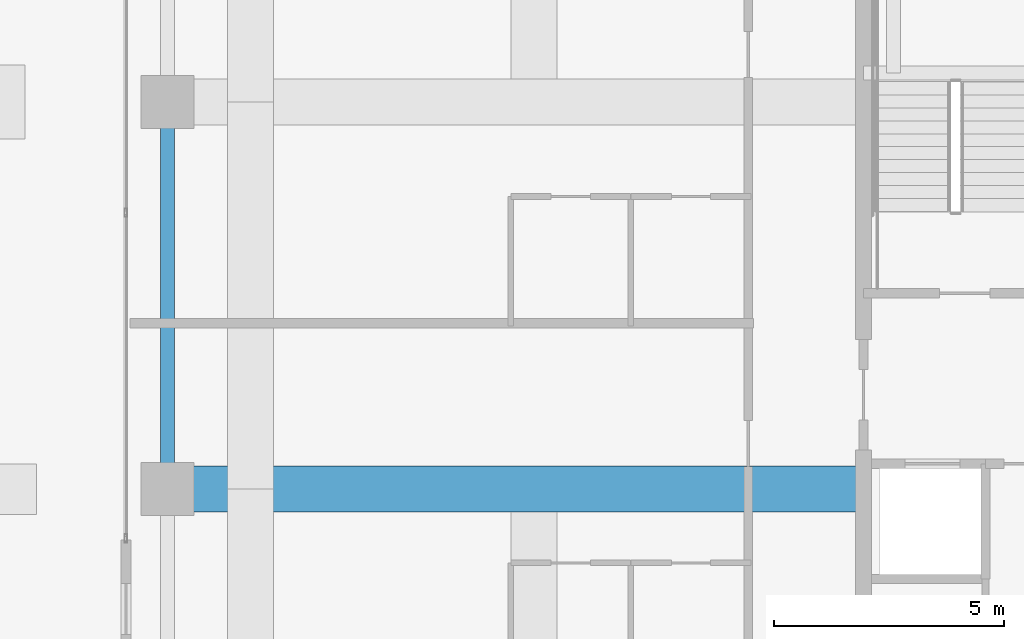
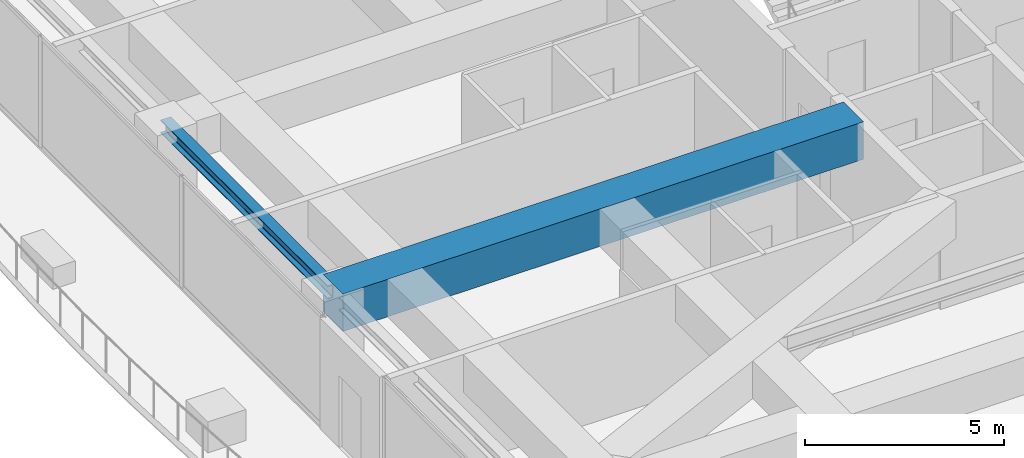
# One storey, part 10 of 39: 2 beams.
"""IFC4 building model written with IfcOpenShell, lengths in metres."""

from ifc_helpers import new_model, si_unit, direction, frame, origin, origin_2d, place, context, subcontext, project, spatial, rectangle, i_section, extrude, source, transform, mapped, material, material_profile, profile_set, type_object, element, save


model = new_model("IFC4")

# Units and contexts
model_context = context("Model", 3, precision=1e-05, world=origin(), true_north=direction((0.0, 1.0)))
body_context = subcontext(model_context, "Body", "Model", "MODEL_VIEW")
ifc_project = project(units=[si_unit("LENGTHUNIT", "METRE"), si_unit("AREAUNIT", "SQUARE_METRE"), si_unit("VOLUMEUNIT", "CUBIC_METRE"), si_unit("PLANEANGLEUNIT", "RADIAN"), si_unit("MASSUNIT", "GRAM", prefix="KILO")], contexts=[model_context])

# Site, building, storey
site_placement = place(None, origin())
site = spatial("IfcSite", under=ifc_project, at=site_placement, CompositionType="ELEMENT")
building_placement = place(site_placement, origin())
building = spatial("IfcBuilding", under=site, at=building_placement, Name="Serunith Strait Residences", CompositionType="ELEMENT")
storey_placement = place(building_placement, frame((0.0, 0.0, 283.60009765625)))
storey = spatial("IfcBuildingStorey", under=building, at=storey_placement, Name="L71", CompositionType="ELEMENT", Elevation=283.60009765625)

# Beams
ifc_material_1 = material(Name="Concrete C80/95", Category="concrete")
ifc_material_profile_1 = material_profile(ifc_material_1, rectangle(XDim=1.0, YDim=1.14990234375, at=origin_2d()), Name="RC 1000x1150")
ifc_profile_set_1 = profile_set([ifc_material_profile_1], Name="Concrete C80/95")
beam_type_1 = type_object("IfcBeamType", Name="BM-XFER-1000x1150", PredefinedType="BEAM", material=ifc_profile_set_1)
shared_shape_1 = source(origin(), body_context, "Body", "SweptSolid", [
    extrude(rectangle(XDim=1.0, YDim=1.14990234375, at=origin_2d()), origin(), (0.0, 0.0, 1.0), 15.099853515625),
])
beam_1_placement = place(storey_placement, frame((23.39990234375, 21.0, 2.8349609375), z_axis=(-1.0, 0.0, 0.0), x_axis=(0.0, -1.0, 0.0)))
element("IfcBeam", 1, at=beam_1_placement, inside=storey, type_object=beam_type_1, Name="L71 Primary Floor Girder TC-W2", PredefinedType="BEAM", context=body_context, shape_type="MappedRepresentation", body=[
    mapped(shared_shape_1, transform((0.0, 0.0, 0.0), scale=1.0)),
])
ifc_material_2 = material(Name="Steel S355J2", Category="steel")
ifc_material_profile_2 = material_profile(ifc_material_2, i_section(OverallWidth=0.300048828125, OverallDepth=0.39990234375, WebThickness=0.013427734375, FlangeThickness=0.02392578125, FilletRadius=0.027099609375, at=origin_2d()), Name="HEB 400")
ifc_profile_set_2 = profile_set([ifc_material_profile_2], Name="Steel S355J2")
beam_type_2 = type_object("IfcBeamType", Name="BM-HEB400", PredefinedType="BEAM", material=ifc_profile_set_2)
shared_shape_2 = source(origin(), body_context, "Body", "SweptSolid", [
    extrude(i_section(OverallWidth=0.300048828125, OverallDepth=0.39990234375, WebThickness=0.013427734375, FlangeThickness=0.02392578125, FilletRadius=0.027099609375, at=origin_2d()), origin(), (0.0, 0.0, 1.0), 8.39990234375),
])
beam_2_placement = place(storey_placement, frame((8.300048828125, 29.39990234375, 3.206787109375), z_axis=(0.0, -1.0, 0.0), x_axis=(1.0, 0.0, 0.0)))
element("IfcBeam", 2, at=beam_2_placement, inside=storey, type_object=beam_type_2, Name="L71 Perimeter Ring Beam 14", PredefinedType="BEAM", context=body_context, shape_type="MappedRepresentation", body=[
    mapped(shared_shape_2, transform((0.0, 0.0, 0.0), scale=1.0)),
])

save(model, "model.ifc")
